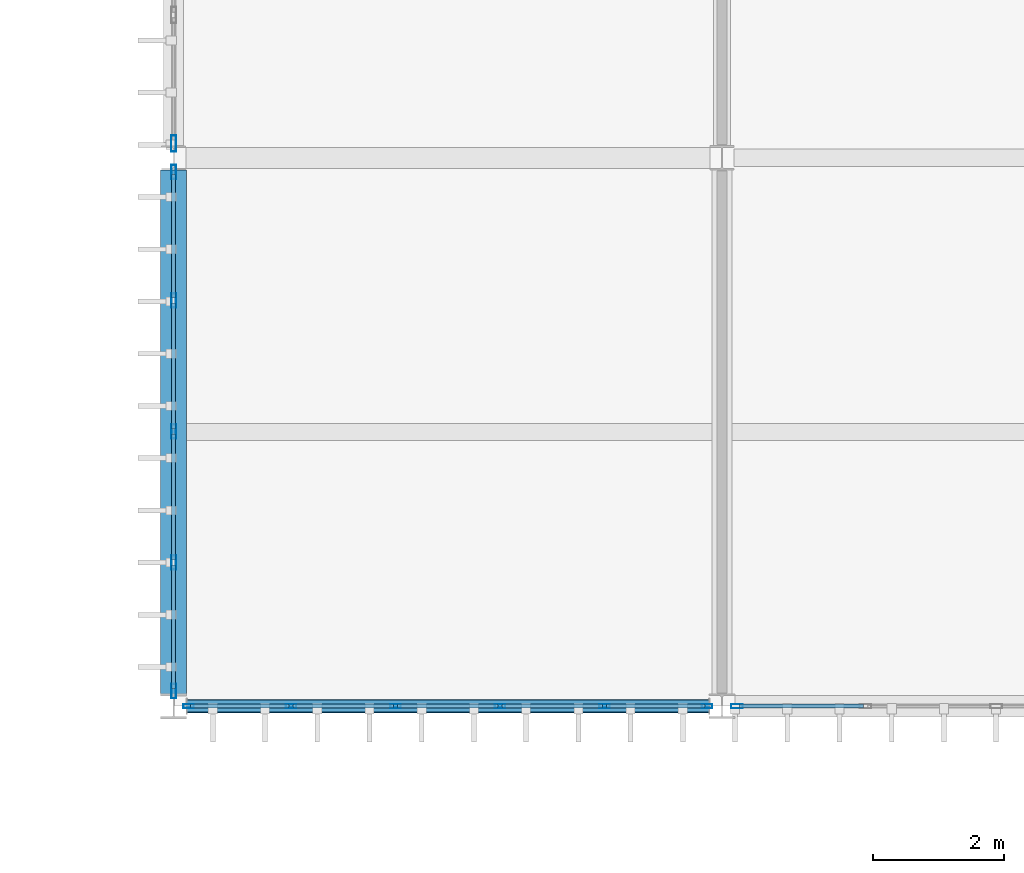
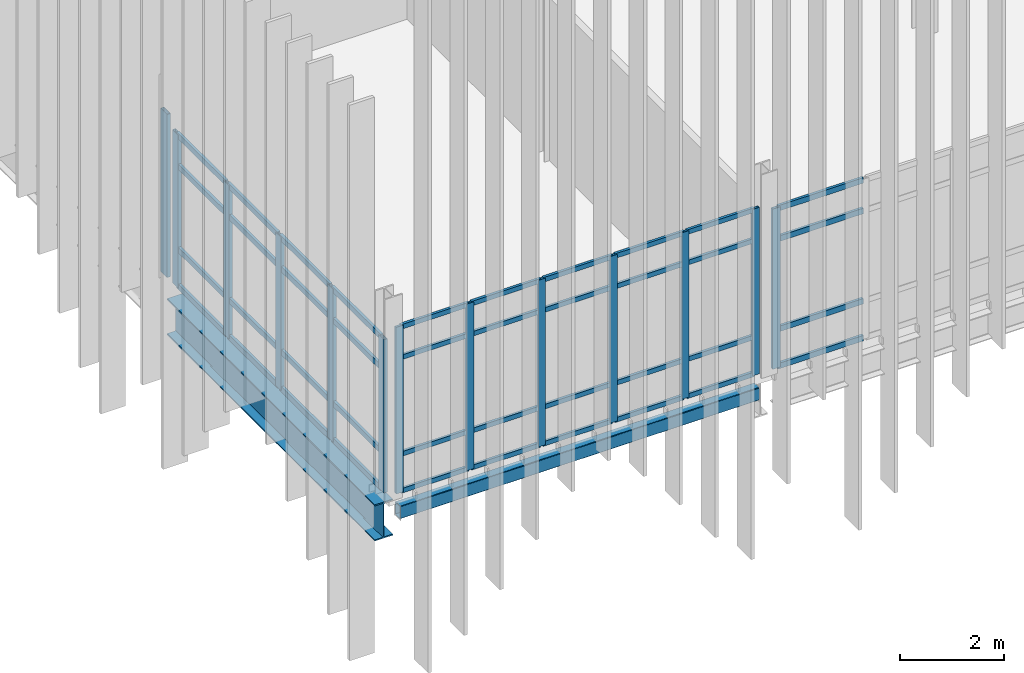
# One storey, part 16 of 153: 53 members, 2 beams, 4 elements without a shape of their own.
"""IFC4 building model written with IfcOpenShell, lengths in metres."""

import ifcopenshell
import ifcopenshell.guid

model = None  # the IFC model being written
_history = None  # IfcOwnerHistory: only IFC2X3 demands one
_inside = {}  # id of a spatial element -> (the spatial element, [elements in it])
_under = {}  # id of a project, library or spatial element -> (it, [spatial elements below it])
_declared = {}  # id of a project -> (the project, [libraries it declares])
_typed = {}  # id of a type object -> (the type object, [elements of that type])
_made_of = {}  # id of a material, layer set ... -> (it, [elements and type objects made of it])


def new_model(schema):
    """Start an empty IFC model of exactly this schema.

    Asked for "IFC4X3", IfcOpenShell would pick the latest addendum, in which some entities
    have other attributes; the version numbers below select the first issue.
    IFC2X3 requires an IfcOwnerHistory on every rooted entity: one is made here for all.
    """
    global model, _history
    if schema == "IFC4X3":
        model = ifcopenshell.file(schema_version=(4, 3, 0, 0))
    else:
        model = ifcopenshell.file(schema=schema)
    _inside.clear()
    _under.clear()
    _declared.clear()
    _typed.clear()
    _made_of.clear()
    _history = None
    if model.schema == "IFC2X3":
        org = make("IfcOrganization", Name="unknown")
        user = make(
            "IfcPersonAndOrganization",
            ThePerson=make("IfcPerson", FamilyName="unknown"),
            TheOrganization=org,
        )
        app = make(
            "IfcApplication",
            ApplicationDeveloper=org,
            Version="unknown",
            ApplicationFullName="unknown",
            ApplicationIdentifier="unknown",
        )
        _history = make(
            "IfcOwnerHistory",
            OwningUser=user,
            OwningApplication=app,
            ChangeAction="ADDED",
            CreationDate=0,
        )
    return model


def make(cls, **values):
    """One entity of the class cls with the attributes given. An attribute that is None is left unset."""
    return model.create_entity(
        cls, **{name: value for name, value in values.items() if value is not None}
    )


def rooted(cls, **values):
    """An entity with a GlobalId (a new one), such as an element, a storey or a relation."""
    return make(cls, GlobalId=ifcopenshell.guid.new(), OwnerHistory=_history, **values)


def si_unit(unit_type, name, prefix=None):
    """IfcSIUnit, for example si_unit("LENGTHUNIT", "METRE", prefix="MILLI")."""
    return make("IfcSIUnit", UnitType=unit_type, Prefix=prefix, Name=name)


def assignment(units):
    """IfcUnitAssignment: the units of a project."""
    return None if units is None else make("IfcUnitAssignment", Units=units)


def point(xyz):
    """IfcCartesianPoint."""
    return None if xyz is None else make("IfcCartesianPoint", Coordinates=xyz)


def direction(xyz):
    """IfcDirection."""
    return None if xyz is None else make("IfcDirection", DirectionRatios=xyz)


def frame(location, z_axis=None, x_axis=None):
    """IfcAxis2Placement3D, a coordinate frame: its origin and axes. An axis left out is left unset."""
    return make(
        "IfcAxis2Placement3D",
        Location=point(location),
        Axis=direction(z_axis),
        RefDirection=direction(x_axis),
    )


def frame_2d(location, x_axis=None):
    """IfcAxis2Placement2D, a coordinate frame in the plane: its origin and x axis."""
    return make(
        "IfcAxis2Placement2D", Location=point(location), RefDirection=direction(x_axis)
    )


def origin():
    """The frame at (0, 0, 0) with its axes left unset."""
    return frame((0.0, 0.0, 0.0))


def origin_2d():
    """The frame at (0, 0) in the plane with its x axis left unset."""
    return frame_2d((0.0, 0.0))


def place(relative_to, where):
    """IfcLocalPlacement: puts the frame where relative to a parent placement (None: the world)."""
    return make(
        "IfcLocalPlacement", PlacementRelTo=relative_to, RelativePlacement=where
    )


def context(
    kind, dimensions, precision=None, world=None, true_north=None, identifier=None
):
    """IfcGeometricRepresentationContext, for example the 3D "Model" context."""
    return make(
        "IfcGeometricRepresentationContext",
        ContextIdentifier=identifier,
        ContextType=kind,
        CoordinateSpaceDimension=dimensions,
        Precision=precision,
        WorldCoordinateSystem=world,
        TrueNorth=true_north,
    )


def subcontext(parent, identifier, kind, view, scale=None):
    """IfcGeometricRepresentationSubContext, for example "Body" below "Model"."""
    return make(
        "IfcGeometricRepresentationSubContext",
        ContextIdentifier=identifier,
        ContextType=kind,
        ParentContext=parent,
        TargetScale=scale,
        TargetView=view,
    )


def project(units=None, contexts=None):
    """IfcProject with its units and contexts."""
    return rooted(
        "IfcProject",
        Name="project",
        RepresentationContexts=contexts,
        UnitsInContext=assignment(units),
    )


def spatial(cls, under=None, at=None, **own):
    """A site, building, storey or space (cls), placed at a placement, below another one or the project."""
    s = rooted(cls, ObjectPlacement=at, **own)
    if under is not None:
        _under.setdefault(under.id(), (under, []))[1].append(s)
    return s


def profile(cls, at=None, kind="AREA", **sizes):
    """A parametric profile (cls). Its sizes go by their IFC names, for example OverallWidth=200.0."""
    return make(cls, ProfileType=kind, Position=at, **sizes)


def hollow_rectangle(**sizes):
    """IfcRectangleHollowProfileDef."""
    return profile("IfcRectangleHollowProfileDef", **sizes)


def i_section(**sizes):
    """IfcIShapeProfileDef."""
    return profile("IfcIShapeProfileDef", **sizes)


def extrude(swept, where, along, depth):
    """IfcExtrudedAreaSolid: the profile swept, set in the frame where, extruded along a direction by depth."""
    return make(
        "IfcExtrudedAreaSolid",
        SweptArea=swept,
        Position=where,
        ExtrudedDirection=direction(along),
        Depth=depth,
    )


def shape(context_of_items, identifier, shape_type, items):
    """IfcShapeRepresentation: the items that make up one representation, for example the "Body"."""
    return make(
        "IfcShapeRepresentation",
        ContextOfItems=context_of_items,
        RepresentationIdentifier=identifier,
        RepresentationType=shape_type,
        Items=items,
    )


def material(Name=None, Category=None):
    """IfcMaterial."""
    return make("IfcMaterial", Name=Name, Category=Category)


def layer(
    of_material, thickness, ventilated=None, Name=None, Category=None, Priority=None
):
    """IfcMaterialLayer: one layer of a wall or slab, of a material (None: an air gap)."""
    return make(
        "IfcMaterialLayer",
        Material=of_material,
        LayerThickness=thickness,
        IsVentilated=ventilated,
        Name=Name,
        Category=Category,
        Priority=Priority,
    )


def layer_set(layers, Name=None):
    """IfcMaterialLayerSet."""
    return make("IfcMaterialLayerSet", MaterialLayers=layers, LayerSetName=Name)


def material_profile(
    of_material, cross_section, Name=None, Category=None, Priority=None
):
    """IfcMaterialProfile: a cross section and its material."""
    return make(
        "IfcMaterialProfile",
        Name=Name,
        Material=of_material,
        Profile=cross_section,
        Priority=Priority,
        Category=Category,
    )


def profile_set(profiles, Name=None, composite=None):
    """IfcMaterialProfileSet."""
    return make(
        "IfcMaterialProfileSet",
        Name=Name,
        MaterialProfiles=profiles,
        CompositeProfile=composite,
    )


def made_of(thing, what):
    """Note that an element or type object is made of a material, layer set ...; save() writes the relation."""
    if what is not None:
        _made_of.setdefault(what.id(), (what, []))[1].append(thing)
    return thing


def type_object(cls, material=None, **own):
    """A type object (cls), such as IfcWallType, which elements share."""
    return made_of(rooted(cls, **own), material)


def element(
    cls,
    number,
    at=None,
    inside=None,
    cuts=None,
    type_object=None,
    material=None,
    context=None,
    identifier="Body",
    shape_type=None,
    held_by="IfcProductDefinitionShape",
    body=None,
    shapes=None,
    **own,
):
    """One element of the class cls, such as IfcWall. Its Tag is "e" and its number.

    at: its placement. inside: the storey or other place that contains it. cuts: it is an
    opening in that element (IfcRelVoidsElement). A single representation is given by context,
    identifier, shape_type and body (its items); several are given by shapes. held_by: the class
    of the entity that holds the representations. save() writes the other relations.
    """
    e = rooted(cls, Tag="e%d" % number, ObjectPlacement=at, **own)
    if body is not None:
        shapes = [shape(context, identifier, shape_type, body)]
    if shapes is not None:
        e.Representation = make(held_by, Representations=shapes)
    if inside is not None:
        _inside.setdefault(inside.id(), (inside, []))[1].append(e)
    if cuts is not None:
        rooted(
            "IfcRelVoidsElement", RelatingBuildingElement=cuts, RelatedOpeningElement=e
        )
    if type_object is not None:
        _typed.setdefault(type_object.id(), (type_object, []))[1].append(e)
    return made_of(e, material)


def aggregate(whole, parts):
    """IfcRelAggregates: a whole, such as a stair, and the parts it consists of."""
    return rooted("IfcRelAggregates", RelatingObject=whole, RelatedObjects=parts)


def save(model, path):
    """Write the relations noted so far, then the file.

    IfcRelAggregates (storeys below a building ...), IfcRelContainedInSpatialStructure (elements
    in a storey), IfcRelDefinesByType, IfcRelAssociatesMaterial and IfcRelDeclares: one each for
    every whole, place, type object, material and project.
    """
    for whole, parts in _under.values():
        aggregate(whole, parts)
    for where, things in _inside.values():
        rooted(
            "IfcRelContainedInSpatialStructure",
            RelatedElements=things,
            RelatingStructure=where,
        )
    for kind, things in _typed.values():
        rooted("IfcRelDefinesByType", RelatedObjects=things, RelatingType=kind)
    for what, things in _made_of.values():
        rooted("IfcRelAssociatesMaterial", RelatedObjects=things, RelatingMaterial=what)
    for by, libraries in _declared.values():
        rooted("IfcRelDeclares", RelatingContext=by, RelatedDefinitions=libraries)
    model.write(path)


model = new_model("IFC4")

# Units and contexts
model_context = context("Model", 3, precision=1e-05, world=origin(), true_north=direction((0.0, 1.0)))
body_context = subcontext(model_context, "Body", "Model", "MODEL_VIEW")
ifc_project = project(units=[si_unit("LENGTHUNIT", "METRE"), si_unit("AREAUNIT", "SQUARE_METRE"), si_unit("VOLUMEUNIT", "CUBIC_METRE"), si_unit("PLANEANGLEUNIT", "RADIAN"), si_unit("MASSUNIT", "GRAM", prefix="KILO")], contexts=[model_context])

# Site, building, storey
site_placement = place(None, origin())
site = spatial("IfcSite", under=ifc_project, at=site_placement, CompositionType="ELEMENT")
building_placement = place(site_placement, origin())
building = spatial("IfcBuilding", under=site, at=building_placement, Name="Calvrana Isthmian Art Gallery", CompositionType="ELEMENT")
storey_placement = place(building_placement, frame((0.0, 0.0, 10.199951171875)))
storey = spatial("IfcBuildingStorey", under=building, at=storey_placement, Name="L02", CompositionType="ELEMENT", Elevation=10.199951171875)

# Beams
ifc_material_1 = material(Name="Steel ASTM A992 Gr 50", Category="steel")
ifc_material_profile_1 = material_profile(ifc_material_1, i_section(OverallWidth=0.40087890625, OverallDepth=0.85595703125, WebThickness=0.018310546875, FlangeThickness=0.029296875, FilletRadius=0.02587890625, at=origin_2d()), Name="W33X201")
ifc_profile_set_1 = profile_set([ifc_material_profile_1], Name="Steel ASTM A992 Gr 50")
beam_type_1 = type_object("IfcBeamType", Name="BM-G-W33X201", PredefinedType="BEAM", material=ifc_profile_set_1)
beam_1_placement = place(storey_placement, frame((21.60009765625, 21.79052734375, -0.69287109375), z_axis=(0.0, 1.0, 0.0), x_axis=(-1.0, 0.0, 0.0)))
element("IfcBeam", 1, at=beam_1_placement, inside=storey, type_object=beam_type_1, Name="Girder Y L02 04/D-E", PredefinedType="BEAM", context=body_context, shape_type="SweptSolid", body=[
    extrude(i_section(OverallWidth=0.40087890625, OverallDepth=0.85595703125, WebThickness=0.018310546875, FlangeThickness=0.029296875, FilletRadius=0.02587890625, at=origin_2d()), origin(), (0.0, 0.0, 1.0), 8.02294921875),
])
ifc_material_2 = material(Name="Steel ASTM A500 Gr C", Category="steel")
ifc_material_profile_2 = material_profile(ifc_material_2, hollow_rectangle(XDim=0.203125, YDim=0.3046875, WallThickness=0.0126953125, OuterFilletRadius=0.02490234375, at=origin_2d()), Name="HSS305X203X12.7")
ifc_profile_set_2 = profile_set([ifc_material_profile_2], Name="Steel ASTM A500 Gr C")
beam_type_2 = type_object("IfcBeamType", Name="BM-SP-HSS305", PredefinedType="SPANDREL", material=ifc_profile_set_2)
beam_2_placement = place(storey_placement, frame((21.798095703125, 21.60009765625, -0.417236328125), z_axis=(1.0, 0.0, 0.0), x_axis=(0.0, 1.0, 0.0)))
element("IfcBeam", 2, at=beam_2_placement, inside=storey, type_object=beam_type_2, Name="Girder X L02 04-05/D", PredefinedType="SPANDREL", context=body_context, shape_type="SweptSolid", body=[
    extrude(hollow_rectangle(XDim=0.203125, YDim=0.3046875, WallThickness=0.0126953125, OuterFilletRadius=0.02490234375, at=origin_2d()), origin(), (0.0, 0.0, 1.0), 8.0048828125),
])

# Curtain wall, members
ifc_material_3 = material(Name="Anodized bronze aluminium 6063-T6", Category="aluminium")
ifc_layer_1 = layer(ifc_material_3, 0.179931640625, Name="Anodized bronze aluminium 6063-T6")
ifc_layer_set_1 = layer_set([ifc_layer_1], Name="Anodized bronze aluminium 6063-T6")
curtain_wall_type_1 = type_object("IfcCurtainWallType", Name="CW-STICK-080X39", PredefinedType="NOTDEFINED", material=ifc_layer_set_1)
curtain_wall_1_placement = place(storey_placement, origin())
curtain_wall_1 = element("IfcCurtainWall", 3, at=curtain_wall_1_placement, inside=storey, type_object=curtain_wall_type_1, Name="Curtain wall CW-145", PredefinedType="NOTDEFINED")
ifc_material_profile_3 = material_profile(ifc_material_3, hollow_rectangle(XDim=0.06005859375, YDim=0.159912109375, WallThickness=0.00390625, at=origin_2d()), Name="CWM60X160")
ifc_profile_set_3 = profile_set([ifc_material_profile_3], Name="Anodized bronze aluminium 6063-T6")
member_type_1 = type_object("IfcMemberType", Name="CWM-CWM60X160", PredefinedType="MULLION", material=ifc_profile_set_3)
member_1_placement = place(storey_placement, frame((29.77197265625, 21.60009765625, 0.0), z_axis=(0.0, 0.0, 1.0), x_axis=(0.0, -1.0, 0.0)))
member_1 = element("IfcMember", 4, at=member_1_placement, type_object=member_type_1, Name="CW-145 mullion 1", PredefinedType="MULLION", context=body_context, shape_type="SweptSolid", body=[
    extrude(hollow_rectangle(XDim=0.06005859375, YDim=0.159912109375, WallThickness=0.00390625, at=origin_2d()), origin(), (0.0, 0.0, 1.0), 3.927978515625),
])
member_2_placement = place(storey_placement, frame((28.201416015625, 21.60009765625, 0.0), z_axis=(0.0, 0.0, 1.0), x_axis=(0.0, -1.0, 0.0)))
member_2 = element("IfcMember", 5, at=member_2_placement, type_object=member_type_1, Name="CW-145 mullion 2", PredefinedType="MULLION", context=body_context, shape_type="SweptSolid", body=[
    extrude(hollow_rectangle(XDim=0.06005859375, YDim=0.159912109375, WallThickness=0.00390625, at=origin_2d()), origin(), (0.0, 0.0, 1.0), 3.927978515625),
])
member_3_placement = place(storey_placement, frame((26.60107421875, 21.60009765625, 0.0), z_axis=(0.0, 0.0, 1.0), x_axis=(0.0, -1.0, 0.0)))
member_3 = element("IfcMember", 6, at=member_3_placement, type_object=member_type_1, Name="CW-145 mullion 3", PredefinedType="MULLION", context=body_context, shape_type="SweptSolid", body=[
    extrude(hollow_rectangle(XDim=0.06005859375, YDim=0.159912109375, WallThickness=0.00390625, at=origin_2d()), origin(), (0.0, 0.0, 1.0), 3.927978515625),
])
member_4_placement = place(storey_placement, frame((25.00048828125, 21.60009765625, 0.0), z_axis=(0.0, 0.0, 1.0), x_axis=(0.0, -1.0, 0.0)))
member_4 = element("IfcMember", 7, at=member_4_placement, type_object=member_type_1, Name="CW-145 mullion 4", PredefinedType="MULLION", context=body_context, shape_type="SweptSolid", body=[
    extrude(hollow_rectangle(XDim=0.06005859375, YDim=0.159912109375, WallThickness=0.00390625, at=origin_2d()), origin(), (0.0, 0.0, 1.0), 3.927978515625),
])
member_5_placement = place(storey_placement, frame((23.39990234375, 21.60009765625, 0.0), z_axis=(0.0, 0.0, 1.0), x_axis=(0.0, -1.0, 0.0)))
member_5 = element("IfcMember", 8, at=member_5_placement, type_object=member_type_1, Name="CW-145 mullion 5", PredefinedType="MULLION", context=body_context, shape_type="SweptSolid", body=[
    extrude(hollow_rectangle(XDim=0.06005859375, YDim=0.159912109375, WallThickness=0.00390625, at=origin_2d()), origin(), (0.0, 0.0, 1.0), 3.927978515625),
])
member_6_placement = place(storey_placement, frame((21.82958984375, 21.60009765625, 0.0), z_axis=(0.0, 0.0, 1.0), x_axis=(0.0, -1.0, 0.0)))
member_6 = element("IfcMember", 9, at=member_6_placement, type_object=member_type_1, Name="CW-145 mullion 6", PredefinedType="MULLION", context=body_context, shape_type="SweptSolid", body=[
    extrude(hollow_rectangle(XDim=0.06005859375, YDim=0.159912109375, WallThickness=0.00390625, at=origin_2d()), origin(), (0.0, 0.0, 1.0), 3.927978515625),
])

# Curtain wall, member
ifc_layer_2 = layer(ifc_material_3, 0.179931640625, Name="Anodized bronze aluminium 6063-T6")
ifc_layer_set_2 = layer_set([ifc_layer_2], Name="Anodized bronze aluminium 6063-T6")
curtain_wall_type_2 = type_object("IfcCurtainWallType", Name="CW-UNIT-080X38", PredefinedType="USERDEFINED", material=ifc_layer_set_2)
curtain_wall_2_placement = place(storey_placement, origin())
curtain_wall_2 = element("IfcCurtainWall", 10, at=curtain_wall_2_placement, inside=storey, type_object=curtain_wall_type_2, Name="Curtain wall CW-146", ObjectType="UNITISED CURTAIN WALL", PredefinedType="USERDEFINED")
ifc_material_profile_4 = material_profile(ifc_material_3, hollow_rectangle(XDim=0.06494140625, YDim=0.179931640625, WallThickness=0.00439453125, at=origin_2d()), Name="CWM65X180")
ifc_profile_set_4 = profile_set([ifc_material_profile_4], Name="Anodized bronze aluminium 6063-T6")
member_type_2 = type_object("IfcMemberType", Name="CWM-CWM65X180", PredefinedType="MULLION", material=ifc_profile_set_4)
member_7_placement = place(storey_placement, frame((30.23046875, 21.60009765625, 0.0), z_axis=(0.0, 0.0, 1.0), x_axis=(0.0, -1.0, 0.0)))
member_7 = element("IfcMember", 11, at=member_7_placement, type_object=member_type_2, Name="CW-146 mullion 5", PredefinedType="MULLION", context=body_context, shape_type="SweptSolid", body=[
    extrude(hollow_rectangle(XDim=0.06494140625, YDim=0.179931640625, WallThickness=0.00439453125, at=origin_2d()), origin(), (0.0, 0.0, 1.0), 3.778076171875),
])

# Curtain wall, members
ifc_layer_3 = layer(ifc_material_3, 0.179931640625, Name="Anodized bronze aluminium 6063-T6")
ifc_layer_set_3 = layer_set([ifc_layer_3], Name="Anodized bronze aluminium 6063-T6")
curtain_wall_type_3 = type_object("IfcCurtainWallType", Name="CW-UNIT-080X36", PredefinedType="USERDEFINED", material=ifc_layer_set_3)
curtain_wall_3_placement = place(storey_placement, origin())
curtain_wall_3 = element("IfcCurtainWall", 12, at=curtain_wall_3_placement, inside=storey, type_object=curtain_wall_type_3, Name="Curtain wall CW-166", ObjectType="UNITISED CURTAIN WALL", PredefinedType="USERDEFINED")
ifc_material_profile_5 = material_profile(ifc_material_3, hollow_rectangle(XDim=0.074951171875, YDim=0.219970703125, WallThickness=0.0048828125, at=origin_2d()), Name="CWM75X220")
ifc_profile_set_5 = profile_set([ifc_material_profile_5], Name="Anodized bronze aluminium 6063-T6")
member_type_3 = type_object("IfcMemberType", Name="CWM-CWM75X220", PredefinedType="MULLION", material=ifc_profile_set_5)
member_8_placement = place(storey_placement, frame((21.60009765625, 21.83056640625, 0.0), z_axis=(0.0, 0.0, 1.0), x_axis=(-1.0, 0.0, 0.0)))
member_8 = element("IfcMember", 13, at=member_8_placement, type_object=member_type_3, Name="CW-166 mullion 1", PredefinedType="MULLION", context=body_context, shape_type="SweptSolid", body=[
    extrude(hollow_rectangle(XDim=0.074951171875, YDim=0.219970703125, WallThickness=0.0048828125, at=origin_2d()), origin(), (0.0, 0.0, 1.0), 3.613037109375),
])
member_9_placement = place(storey_placement, frame((21.60009765625, 23.80029296875, 0.0), z_axis=(0.0, 0.0, 1.0), x_axis=(-1.0, 0.0, 0.0)))
member_9 = element("IfcMember", 14, at=member_9_placement, type_object=member_type_3, Name="CW-166 mullion 2", PredefinedType="MULLION", context=body_context, shape_type="SweptSolid", body=[
    extrude(hollow_rectangle(XDim=0.074951171875, YDim=0.219970703125, WallThickness=0.0048828125, at=origin_2d()), origin(), (0.0, 0.0, 1.0), 3.613037109375),
])
member_10_placement = place(storey_placement, frame((21.60009765625, 25.8076171875, 0.0), z_axis=(0.0, 0.0, 1.0), x_axis=(-1.0, 0.0, 0.0)))
member_10 = element("IfcMember", 15, at=member_10_placement, type_object=member_type_3, Name="CW-166 mullion 3", PredefinedType="MULLION", context=body_context, shape_type="SweptSolid", body=[
    extrude(hollow_rectangle(XDim=0.074951171875, YDim=0.219970703125, WallThickness=0.0048828125, at=origin_2d()), origin(), (0.0, 0.0, 1.0), 3.613037109375),
])
member_11_placement = place(storey_placement, frame((21.60009765625, 27.814697265625, 0.0), z_axis=(0.0, 0.0, 1.0), x_axis=(-1.0, 0.0, 0.0)))
member_11 = element("IfcMember", 16, at=member_11_placement, type_object=member_type_3, Name="CW-166 mullion 4", PredefinedType="MULLION", context=body_context, shape_type="SweptSolid", body=[
    extrude(hollow_rectangle(XDim=0.074951171875, YDim=0.219970703125, WallThickness=0.0048828125, at=origin_2d()), origin(), (0.0, 0.0, 1.0), 3.613037109375),
])
member_12_placement = place(storey_placement, frame((21.60009765625, 29.784423828125, 0.0), z_axis=(0.0, 0.0, 1.0), x_axis=(-1.0, 0.0, 0.0)))
member_12 = element("IfcMember", 17, at=member_12_placement, type_object=member_type_3, Name="CW-166 mullion 5", PredefinedType="MULLION", context=body_context, shape_type="SweptSolid", body=[
    extrude(hollow_rectangle(XDim=0.074951171875, YDim=0.219970703125, WallThickness=0.0048828125, at=origin_2d()), origin(), (0.0, 0.0, 1.0), 3.613037109375),
])

# Curtain wall, member
curtain_wall_4_placement = place(storey_placement, origin())
curtain_wall_4 = element("IfcCurtainWall", 18, at=curtain_wall_4_placement, inside=storey, type_object=curtain_wall_type_2, Name="Curtain wall CW-167", ObjectType="UNITISED CURTAIN WALL", PredefinedType="USERDEFINED")
ifc_material_profile_6 = material_profile(ifc_material_3, hollow_rectangle(XDim=0.080078125, YDim=0.25, WallThickness=0.005615234375, at=origin_2d()), Name="CWM80X250")
ifc_profile_set_6 = profile_set([ifc_material_profile_6], Name="Anodized bronze aluminium 6063-T6")
member_type_4 = type_object("IfcMemberType", Name="CWM-CWM80X250", PredefinedType="MULLION", material=ifc_profile_set_6)
member_13_placement = place(storey_placement, frame((21.60009765625, 30.218017578125, 0.0), z_axis=(0.0, 0.0, 1.0), x_axis=(-1.0, 0.0, 0.0)))
member_13 = element("IfcMember", 19, at=member_13_placement, type_object=member_type_4, Name="CW-167 mullion 1", PredefinedType="MULLION", context=body_context, shape_type="SweptSolid", body=[
    extrude(hollow_rectangle(XDim=0.080078125, YDim=0.25, WallThickness=0.005615234375, at=origin_2d()), origin(), (0.0, 0.0, 1.0), 3.84716796875),
])
aggregate(curtain_wall_4, [member_13])

# Member
ifc_material_profile_7 = material_profile(ifc_material_3, hollow_rectangle(XDim=0.06005859375, YDim=0.110107421875, WallThickness=0.00341796875, at=origin_2d()), Name="CWT60X110")
ifc_profile_set_7 = profile_set([ifc_material_profile_7], Name="Anodized bronze aluminium 6063-T6")
member_type_5 = type_object("IfcMemberType", Name="CWT-CWT60X110", PredefinedType="USERDEFINED", material=ifc_profile_set_7)
member_14_placement = place(storey_placement, frame((29.741943359375, 21.60009765625, 0.030029296875), z_axis=(-1.0, 0.0, 0.0), x_axis=(0.0, -1.0, 0.0)))
member_14 = element("IfcMember", 20, at=member_14_placement, type_object=member_type_5, Name="CW-145 transom 1.1", ObjectType="TRANSOM", PredefinedType="USERDEFINED", context=body_context, shape_type="SweptSolid", body=[
    extrude(hollow_rectangle(XDim=0.06005859375, YDim=0.110107421875, WallThickness=0.00341796875, at=origin_2d()), origin(), (0.0, 0.0, 1.0), 1.510498046875),
])

member_15_placement = place(storey_placement, frame((29.741943359375, 21.60009765625, 0.900146484375), z_axis=(-1.0, 0.0, 0.0), x_axis=(0.0, -1.0, 0.0)))
member_15 = element("IfcMember", 21, at=member_15_placement, type_object=member_type_5, Name="CW-145 transom 1.2", ObjectType="TRANSOM", PredefinedType="USERDEFINED", context=body_context, shape_type="SweptSolid", body=[
    extrude(hollow_rectangle(XDim=0.06005859375, YDim=0.110107421875, WallThickness=0.00341796875, at=origin_2d()), origin(), (0.0, 0.0, 1.0), 1.510498046875),
])

member_16_placement = place(storey_placement, frame((29.741943359375, 21.60009765625, 3.177978515625), z_axis=(-1.0, 0.0, 0.0), x_axis=(0.0, -1.0, 0.0)))
member_16 = element("IfcMember", 22, at=member_16_placement, type_object=member_type_5, Name="CW-145 transom 1.3", ObjectType="TRANSOM", PredefinedType="USERDEFINED", context=body_context, shape_type="SweptSolid", body=[
    extrude(hollow_rectangle(XDim=0.06005859375, YDim=0.110107421875, WallThickness=0.00341796875, at=origin_2d()), origin(), (0.0, 0.0, 1.0), 1.510498046875),
])

member_17_placement = place(storey_placement, frame((29.741943359375, 21.60009765625, 3.89794921875), z_axis=(-1.0, 0.0, 0.0), x_axis=(0.0, -1.0, 0.0)))
member_17 = element("IfcMember", 23, at=member_17_placement, type_object=member_type_5, Name="CW-145 transom 1.4", ObjectType="TRANSOM", PredefinedType="USERDEFINED", context=body_context, shape_type="SweptSolid", body=[
    extrude(hollow_rectangle(XDim=0.06005859375, YDim=0.110107421875, WallThickness=0.00341796875, at=origin_2d()), origin(), (0.0, 0.0, 1.0), 1.510498046875),
])

member_18_placement = place(storey_placement, frame((28.17138671875, 21.60009765625, 0.030029296875), z_axis=(-1.0, 0.0, 0.0), x_axis=(0.0, -1.0, 0.0)))
member_18 = element("IfcMember", 24, at=member_18_placement, type_object=member_type_5, Name="CW-145 transom 2.1", ObjectType="TRANSOM", PredefinedType="USERDEFINED", context=body_context, shape_type="SweptSolid", body=[
    extrude(hollow_rectangle(XDim=0.06005859375, YDim=0.110107421875, WallThickness=0.00341796875, at=origin_2d()), origin(), (0.0, 0.0, 1.0), 1.540283203125),
])

member_19_placement = place(storey_placement, frame((28.17138671875, 21.60009765625, 0.900146484375), z_axis=(-1.0, 0.0, 0.0), x_axis=(0.0, -1.0, 0.0)))
member_19 = element("IfcMember", 25, at=member_19_placement, type_object=member_type_5, Name="CW-145 transom 2.2", ObjectType="TRANSOM", PredefinedType="USERDEFINED", context=body_context, shape_type="SweptSolid", body=[
    extrude(hollow_rectangle(XDim=0.06005859375, YDim=0.110107421875, WallThickness=0.00341796875, at=origin_2d()), origin(), (0.0, 0.0, 1.0), 1.540283203125),
])

member_20_placement = place(storey_placement, frame((28.17138671875, 21.60009765625, 3.177978515625), z_axis=(-1.0, 0.0, 0.0), x_axis=(0.0, -1.0, 0.0)))
member_20 = element("IfcMember", 26, at=member_20_placement, type_object=member_type_5, Name="CW-145 transom 2.3", ObjectType="TRANSOM", PredefinedType="USERDEFINED", context=body_context, shape_type="SweptSolid", body=[
    extrude(hollow_rectangle(XDim=0.06005859375, YDim=0.110107421875, WallThickness=0.00341796875, at=origin_2d()), origin(), (0.0, 0.0, 1.0), 1.540283203125),
])

member_21_placement = place(storey_placement, frame((28.17138671875, 21.60009765625, 3.89794921875), z_axis=(-1.0, 0.0, 0.0), x_axis=(0.0, -1.0, 0.0)))
member_21 = element("IfcMember", 27, at=member_21_placement, type_object=member_type_5, Name="CW-145 transom 2.4", ObjectType="TRANSOM", PredefinedType="USERDEFINED", context=body_context, shape_type="SweptSolid", body=[
    extrude(hollow_rectangle(XDim=0.06005859375, YDim=0.110107421875, WallThickness=0.00341796875, at=origin_2d()), origin(), (0.0, 0.0, 1.0), 1.540283203125),
])

member_22_placement = place(storey_placement, frame((26.571044921875, 21.60009765625, 0.030029296875), z_axis=(-1.0, 0.0, 0.0), x_axis=(0.0, -1.0, 0.0)))
member_22 = element("IfcMember", 28, at=member_22_placement, type_object=member_type_5, Name="CW-145 transom 3.1", ObjectType="TRANSOM", PredefinedType="USERDEFINED", context=body_context, shape_type="SweptSolid", body=[
    extrude(hollow_rectangle(XDim=0.06005859375, YDim=0.110107421875, WallThickness=0.00341796875, at=origin_2d()), origin(), (0.0, 0.0, 1.0), 1.54052734375),
])

member_23_placement = place(storey_placement, frame((26.571044921875, 21.60009765625, 0.900146484375), z_axis=(-1.0, 0.0, 0.0), x_axis=(0.0, -1.0, 0.0)))
member_23 = element("IfcMember", 29, at=member_23_placement, type_object=member_type_5, Name="CW-145 transom 3.2", ObjectType="TRANSOM", PredefinedType="USERDEFINED", context=body_context, shape_type="SweptSolid", body=[
    extrude(hollow_rectangle(XDim=0.06005859375, YDim=0.110107421875, WallThickness=0.00341796875, at=origin_2d()), origin(), (0.0, 0.0, 1.0), 1.54052734375),
])

member_24_placement = place(storey_placement, frame((26.571044921875, 21.60009765625, 3.177978515625), z_axis=(-1.0, 0.0, 0.0), x_axis=(0.0, -1.0, 0.0)))
member_24 = element("IfcMember", 30, at=member_24_placement, type_object=member_type_5, Name="CW-145 transom 3.3", ObjectType="TRANSOM", PredefinedType="USERDEFINED", context=body_context, shape_type="SweptSolid", body=[
    extrude(hollow_rectangle(XDim=0.06005859375, YDim=0.110107421875, WallThickness=0.00341796875, at=origin_2d()), origin(), (0.0, 0.0, 1.0), 1.54052734375),
])

member_25_placement = place(storey_placement, frame((26.571044921875, 21.60009765625, 3.89794921875), z_axis=(-1.0, 0.0, 0.0), x_axis=(0.0, -1.0, 0.0)))
member_25 = element("IfcMember", 31, at=member_25_placement, type_object=member_type_5, Name="CW-145 transom 3.4", ObjectType="TRANSOM", PredefinedType="USERDEFINED", context=body_context, shape_type="SweptSolid", body=[
    extrude(hollow_rectangle(XDim=0.06005859375, YDim=0.110107421875, WallThickness=0.00341796875, at=origin_2d()), origin(), (0.0, 0.0, 1.0), 1.54052734375),
])

member_26_placement = place(storey_placement, frame((24.970458984375, 21.60009765625, 0.030029296875), z_axis=(-1.0, 0.0, 0.0), x_axis=(0.0, -1.0, 0.0)))
member_26 = element("IfcMember", 32, at=member_26_placement, type_object=member_type_5, Name="CW-145 transom 4.1", ObjectType="TRANSOM", PredefinedType="USERDEFINED", context=body_context, shape_type="SweptSolid", body=[
    extrude(hollow_rectangle(XDim=0.06005859375, YDim=0.110107421875, WallThickness=0.00341796875, at=origin_2d()), origin(), (0.0, 0.0, 1.0), 1.54052734375),
])

member_27_placement = place(storey_placement, frame((24.970458984375, 21.60009765625, 0.900146484375), z_axis=(-1.0, 0.0, 0.0), x_axis=(0.0, -1.0, 0.0)))
member_27 = element("IfcMember", 33, at=member_27_placement, type_object=member_type_5, Name="CW-145 transom 4.2", ObjectType="TRANSOM", PredefinedType="USERDEFINED", context=body_context, shape_type="SweptSolid", body=[
    extrude(hollow_rectangle(XDim=0.06005859375, YDim=0.110107421875, WallThickness=0.00341796875, at=origin_2d()), origin(), (0.0, 0.0, 1.0), 1.54052734375),
])

member_28_placement = place(storey_placement, frame((24.970458984375, 21.60009765625, 3.177978515625), z_axis=(-1.0, 0.0, 0.0), x_axis=(0.0, -1.0, 0.0)))
member_28 = element("IfcMember", 34, at=member_28_placement, type_object=member_type_5, Name="CW-145 transom 4.3", ObjectType="TRANSOM", PredefinedType="USERDEFINED", context=body_context, shape_type="SweptSolid", body=[
    extrude(hollow_rectangle(XDim=0.06005859375, YDim=0.110107421875, WallThickness=0.00341796875, at=origin_2d()), origin(), (0.0, 0.0, 1.0), 1.54052734375),
])

member_29_placement = place(storey_placement, frame((24.970458984375, 21.60009765625, 3.89794921875), z_axis=(-1.0, 0.0, 0.0), x_axis=(0.0, -1.0, 0.0)))
member_29 = element("IfcMember", 35, at=member_29_placement, type_object=member_type_5, Name="CW-145 transom 4.4", ObjectType="TRANSOM", PredefinedType="USERDEFINED", context=body_context, shape_type="SweptSolid", body=[
    extrude(hollow_rectangle(XDim=0.06005859375, YDim=0.110107421875, WallThickness=0.00341796875, at=origin_2d()), origin(), (0.0, 0.0, 1.0), 1.54052734375),
])

member_30_placement = place(storey_placement, frame((23.3701171875, 21.60009765625, 0.030029296875), z_axis=(-1.0, 0.0, 0.0), x_axis=(0.0, -1.0, 0.0)))
member_30 = element("IfcMember", 36, at=member_30_placement, type_object=member_type_5, Name="CW-145 transom 5.1", ObjectType="TRANSOM", PredefinedType="USERDEFINED", context=body_context, shape_type="SweptSolid", body=[
    extrude(hollow_rectangle(XDim=0.06005859375, YDim=0.110107421875, WallThickness=0.00341796875, at=origin_2d()), origin(), (0.0, 0.0, 1.0), 1.510498046875),
])

member_31_placement = place(storey_placement, frame((23.3701171875, 21.60009765625, 0.900146484375), z_axis=(-1.0, 0.0, 0.0), x_axis=(0.0, -1.0, 0.0)))
member_31 = element("IfcMember", 37, at=member_31_placement, type_object=member_type_5, Name="CW-145 transom 5.2", ObjectType="TRANSOM", PredefinedType="USERDEFINED", context=body_context, shape_type="SweptSolid", body=[
    extrude(hollow_rectangle(XDim=0.06005859375, YDim=0.110107421875, WallThickness=0.00341796875, at=origin_2d()), origin(), (0.0, 0.0, 1.0), 1.510498046875),
])

member_32_placement = place(storey_placement, frame((23.3701171875, 21.60009765625, 3.177978515625), z_axis=(-1.0, 0.0, 0.0), x_axis=(0.0, -1.0, 0.0)))
member_32 = element("IfcMember", 38, at=member_32_placement, type_object=member_type_5, Name="CW-145 transom 5.3", ObjectType="TRANSOM", PredefinedType="USERDEFINED", context=body_context, shape_type="SweptSolid", body=[
    extrude(hollow_rectangle(XDim=0.06005859375, YDim=0.110107421875, WallThickness=0.00341796875, at=origin_2d()), origin(), (0.0, 0.0, 1.0), 1.510498046875),
])

member_33_placement = place(storey_placement, frame((23.3701171875, 21.60009765625, 3.89794921875), z_axis=(-1.0, 0.0, 0.0), x_axis=(0.0, -1.0, 0.0)))
member_33 = element("IfcMember", 39, at=member_33_placement, type_object=member_type_5, Name="CW-145 transom 5.4", ObjectType="TRANSOM", PredefinedType="USERDEFINED", context=body_context, shape_type="SweptSolid", body=[
    extrude(hollow_rectangle(XDim=0.06005859375, YDim=0.110107421875, WallThickness=0.00341796875, at=origin_2d()), origin(), (0.0, 0.0, 1.0), 1.510498046875),
])

aggregate(curtain_wall_1, [member_1, member_2, member_3, member_4, member_5, member_6, member_14, member_15, member_16, member_17, member_18, member_19, member_20, member_21, member_22, member_23, member_24, member_25, member_26, member_27, member_28, member_29, member_30, member_31, member_32, member_33])

ifc_material_profile_8 = material_profile(ifc_material_3, hollow_rectangle(XDim=0.06005859375, YDim=0.1298828125, WallThickness=0.00390625, at=origin_2d()), Name="CWT60X130")
ifc_profile_set_8 = profile_set([ifc_material_profile_8], Name="Anodized bronze aluminium 6063-T6")
member_type_6 = type_object("IfcMemberType", Name="CWT-CWT60X130", PredefinedType="USERDEFINED", material=ifc_profile_set_8)
member_34_placement = place(storey_placement, frame((32.166748046875, 21.60009765625, 0.030029296875), z_axis=(-1.0, 0.0, 0.0), x_axis=(0.0, -1.0, 0.0)))
member_34 = element("IfcMember", 40, at=member_34_placement, type_object=member_type_6, Name="CW-146 transom 4.1", ObjectType="TRANSOM", PredefinedType="USERDEFINED", context=body_context, shape_type="SweptSolid", body=[
    extrude(hollow_rectangle(XDim=0.06005859375, YDim=0.1298828125, WallThickness=0.00390625, at=origin_2d()), origin(), (0.0, 0.0, 1.0), 1.90380859375),
])

member_35_placement = place(storey_placement, frame((32.166748046875, 21.60009765625, 0.900146484375), z_axis=(-1.0, 0.0, 0.0), x_axis=(0.0, -1.0, 0.0)))
member_35 = element("IfcMember", 41, at=member_35_placement, type_object=member_type_6, Name="CW-146 transom 4.2", ObjectType="TRANSOM", PredefinedType="USERDEFINED", context=body_context, shape_type="SweptSolid", body=[
    extrude(hollow_rectangle(XDim=0.06005859375, YDim=0.1298828125, WallThickness=0.00390625, at=origin_2d()), origin(), (0.0, 0.0, 1.0), 1.90380859375),
])

member_36_placement = place(storey_placement, frame((32.166748046875, 21.60009765625, 3.028076171875), z_axis=(-1.0, 0.0, 0.0), x_axis=(0.0, -1.0, 0.0)))
member_36 = element("IfcMember", 42, at=member_36_placement, type_object=member_type_6, Name="CW-146 transom 4.3", ObjectType="TRANSOM", PredefinedType="USERDEFINED", context=body_context, shape_type="SweptSolid", body=[
    extrude(hollow_rectangle(XDim=0.06005859375, YDim=0.1298828125, WallThickness=0.00390625, at=origin_2d()), origin(), (0.0, 0.0, 1.0), 1.90380859375),
])

member_37_placement = place(storey_placement, frame((32.166748046875, 21.60009765625, 3.748046875), z_axis=(-1.0, 0.0, 0.0), x_axis=(0.0, -1.0, 0.0)))
member_37 = element("IfcMember", 43, at=member_37_placement, type_object=member_type_6, Name="CW-146 transom 4.4", ObjectType="TRANSOM", PredefinedType="USERDEFINED", context=body_context, shape_type="SweptSolid", body=[
    extrude(hollow_rectangle(XDim=0.06005859375, YDim=0.1298828125, WallThickness=0.00390625, at=origin_2d()), origin(), (0.0, 0.0, 1.0), 1.90380859375),
])

aggregate(curtain_wall_2, [member_7, member_34, member_35, member_36, member_37])

member_38_placement = place(storey_placement, frame((21.60009765625, 21.867919921875, 0.030029296875), z_axis=(0.0, 1.0, 0.0), x_axis=(-1.0, 0.0, 0.0)))
member_38 = element("IfcMember", 44, at=member_38_placement, type_object=member_type_6, Name="CW-166 transom 1.1", ObjectType="TRANSOM", PredefinedType="USERDEFINED", context=body_context, shape_type="SweptSolid", body=[
    extrude(hollow_rectangle(XDim=0.06005859375, YDim=0.1298828125, WallThickness=0.00390625, at=origin_2d()), origin(), (0.0, 0.0, 1.0), 1.894775390625),
])

member_39_placement = place(storey_placement, frame((21.60009765625, 21.867919921875, 0.900146484375), z_axis=(0.0, 1.0, 0.0), x_axis=(-1.0, 0.0, 0.0)))
member_39 = element("IfcMember", 45, at=member_39_placement, type_object=member_type_6, Name="CW-166 transom 1.2", ObjectType="TRANSOM", PredefinedType="USERDEFINED", context=body_context, shape_type="SweptSolid", body=[
    extrude(hollow_rectangle(XDim=0.06005859375, YDim=0.1298828125, WallThickness=0.00390625, at=origin_2d()), origin(), (0.0, 0.0, 1.0), 1.894775390625),
])

member_40_placement = place(storey_placement, frame((21.60009765625, 21.867919921875, 2.863037109375), z_axis=(0.0, 1.0, 0.0), x_axis=(-1.0, 0.0, 0.0)))
member_40 = element("IfcMember", 46, at=member_40_placement, type_object=member_type_6, Name="CW-166 transom 1.3", ObjectType="TRANSOM", PredefinedType="USERDEFINED", context=body_context, shape_type="SweptSolid", body=[
    extrude(hollow_rectangle(XDim=0.06005859375, YDim=0.1298828125, WallThickness=0.00390625, at=origin_2d()), origin(), (0.0, 0.0, 1.0), 1.894775390625),
])

member_41_placement = place(storey_placement, frame((21.60009765625, 21.867919921875, 3.5830078125), z_axis=(0.0, 1.0, 0.0), x_axis=(-1.0, 0.0, 0.0)))
member_41 = element("IfcMember", 47, at=member_41_placement, type_object=member_type_6, Name="CW-166 transom 1.4", ObjectType="TRANSOM", PredefinedType="USERDEFINED", context=body_context, shape_type="SweptSolid", body=[
    extrude(hollow_rectangle(XDim=0.06005859375, YDim=0.1298828125, WallThickness=0.00390625, at=origin_2d()), origin(), (0.0, 0.0, 1.0), 1.894775390625),
])

member_42_placement = place(storey_placement, frame((21.60009765625, 23.837646484375, 0.030029296875), z_axis=(0.0, 1.0, 0.0), x_axis=(-1.0, 0.0, 0.0)))
member_42 = element("IfcMember", 48, at=member_42_placement, type_object=member_type_6, Name="CW-166 transom 2.1", ObjectType="TRANSOM", PredefinedType="USERDEFINED", context=body_context, shape_type="SweptSolid", body=[
    extrude(hollow_rectangle(XDim=0.06005859375, YDim=0.1298828125, WallThickness=0.00390625, at=origin_2d()), origin(), (0.0, 0.0, 1.0), 1.932373046875),
])

member_43_placement = place(storey_placement, frame((21.60009765625, 23.837646484375, 0.900146484375), z_axis=(0.0, 1.0, 0.0), x_axis=(-1.0, 0.0, 0.0)))
member_43 = element("IfcMember", 49, at=member_43_placement, type_object=member_type_6, Name="CW-166 transom 2.2", ObjectType="TRANSOM", PredefinedType="USERDEFINED", context=body_context, shape_type="SweptSolid", body=[
    extrude(hollow_rectangle(XDim=0.06005859375, YDim=0.1298828125, WallThickness=0.00390625, at=origin_2d()), origin(), (0.0, 0.0, 1.0), 1.932373046875),
])

member_44_placement = place(storey_placement, frame((21.60009765625, 23.837646484375, 2.863037109375), z_axis=(0.0, 1.0, 0.0), x_axis=(-1.0, 0.0, 0.0)))
member_44 = element("IfcMember", 50, at=member_44_placement, type_object=member_type_6, Name="CW-166 transom 2.3", ObjectType="TRANSOM", PredefinedType="USERDEFINED", context=body_context, shape_type="SweptSolid", body=[
    extrude(hollow_rectangle(XDim=0.06005859375, YDim=0.1298828125, WallThickness=0.00390625, at=origin_2d()), origin(), (0.0, 0.0, 1.0), 1.932373046875),
])

member_45_placement = place(storey_placement, frame((21.60009765625, 23.837646484375, 3.5830078125), z_axis=(0.0, 1.0, 0.0), x_axis=(-1.0, 0.0, 0.0)))
member_45 = element("IfcMember", 51, at=member_45_placement, type_object=member_type_6, Name="CW-166 transom 2.4", ObjectType="TRANSOM", PredefinedType="USERDEFINED", context=body_context, shape_type="SweptSolid", body=[
    extrude(hollow_rectangle(XDim=0.06005859375, YDim=0.1298828125, WallThickness=0.00390625, at=origin_2d()), origin(), (0.0, 0.0, 1.0), 1.932373046875),
])

member_46_placement = place(storey_placement, frame((21.60009765625, 25.844970703125, 0.030029296875), z_axis=(0.0, 1.0, 0.0), x_axis=(-1.0, 0.0, 0.0)))
member_46 = element("IfcMember", 52, at=member_46_placement, type_object=member_type_6, Name="CW-166 transom 3.1", ObjectType="TRANSOM", PredefinedType="USERDEFINED", context=body_context, shape_type="SweptSolid", body=[
    extrude(hollow_rectangle(XDim=0.06005859375, YDim=0.1298828125, WallThickness=0.00390625, at=origin_2d()), origin(), (0.0, 0.0, 1.0), 1.932373046875),
])

member_47_placement = place(storey_placement, frame((21.60009765625, 25.844970703125, 0.900146484375), z_axis=(0.0, 1.0, 0.0), x_axis=(-1.0, 0.0, 0.0)))
member_47 = element("IfcMember", 53, at=member_47_placement, type_object=member_type_6, Name="CW-166 transom 3.2", ObjectType="TRANSOM", PredefinedType="USERDEFINED", context=body_context, shape_type="SweptSolid", body=[
    extrude(hollow_rectangle(XDim=0.06005859375, YDim=0.1298828125, WallThickness=0.00390625, at=origin_2d()), origin(), (0.0, 0.0, 1.0), 1.932373046875),
])

member_48_placement = place(storey_placement, frame((21.60009765625, 25.844970703125, 2.863037109375), z_axis=(0.0, 1.0, 0.0), x_axis=(-1.0, 0.0, 0.0)))
member_48 = element("IfcMember", 54, at=member_48_placement, type_object=member_type_6, Name="CW-166 transom 3.3", ObjectType="TRANSOM", PredefinedType="USERDEFINED", context=body_context, shape_type="SweptSolid", body=[
    extrude(hollow_rectangle(XDim=0.06005859375, YDim=0.1298828125, WallThickness=0.00390625, at=origin_2d()), origin(), (0.0, 0.0, 1.0), 1.932373046875),
])

member_49_placement = place(storey_placement, frame((21.60009765625, 25.844970703125, 3.5830078125), z_axis=(0.0, 1.0, 0.0), x_axis=(-1.0, 0.0, 0.0)))
member_49 = element("IfcMember", 55, at=member_49_placement, type_object=member_type_6, Name="CW-166 transom 3.4", ObjectType="TRANSOM", PredefinedType="USERDEFINED", context=body_context, shape_type="SweptSolid", body=[
    extrude(hollow_rectangle(XDim=0.06005859375, YDim=0.1298828125, WallThickness=0.00390625, at=origin_2d()), origin(), (0.0, 0.0, 1.0), 1.932373046875),
])

member_50_placement = place(storey_placement, frame((21.60009765625, 27.852294921875, 0.030029296875), z_axis=(0.0, 1.0, 0.0), x_axis=(-1.0, 0.0, 0.0)))
member_50 = element("IfcMember", 56, at=member_50_placement, type_object=member_type_6, Name="CW-166 transom 4.1", ObjectType="TRANSOM", PredefinedType="USERDEFINED", context=body_context, shape_type="SweptSolid", body=[
    extrude(hollow_rectangle(XDim=0.06005859375, YDim=0.1298828125, WallThickness=0.00390625, at=origin_2d()), origin(), (0.0, 0.0, 1.0), 1.894775390625),
])

member_51_placement = place(storey_placement, frame((21.60009765625, 27.852294921875, 0.900146484375), z_axis=(0.0, 1.0, 0.0), x_axis=(-1.0, 0.0, 0.0)))
member_51 = element("IfcMember", 57, at=member_51_placement, type_object=member_type_6, Name="CW-166 transom 4.2", ObjectType="TRANSOM", PredefinedType="USERDEFINED", context=body_context, shape_type="SweptSolid", body=[
    extrude(hollow_rectangle(XDim=0.06005859375, YDim=0.1298828125, WallThickness=0.00390625, at=origin_2d()), origin(), (0.0, 0.0, 1.0), 1.894775390625),
])

member_52_placement = place(storey_placement, frame((21.60009765625, 27.852294921875, 2.863037109375), z_axis=(0.0, 1.0, 0.0), x_axis=(-1.0, 0.0, 0.0)))
member_52 = element("IfcMember", 58, at=member_52_placement, type_object=member_type_6, Name="CW-166 transom 4.3", ObjectType="TRANSOM", PredefinedType="USERDEFINED", context=body_context, shape_type="SweptSolid", body=[
    extrude(hollow_rectangle(XDim=0.06005859375, YDim=0.1298828125, WallThickness=0.00390625, at=origin_2d()), origin(), (0.0, 0.0, 1.0), 1.894775390625),
])

member_53_placement = place(storey_placement, frame((21.60009765625, 27.852294921875, 3.5830078125), z_axis=(0.0, 1.0, 0.0), x_axis=(-1.0, 0.0, 0.0)))
member_53 = element("IfcMember", 59, at=member_53_placement, type_object=member_type_6, Name="CW-166 transom 4.4", ObjectType="TRANSOM", PredefinedType="USERDEFINED", context=body_context, shape_type="SweptSolid", body=[
    extrude(hollow_rectangle(XDim=0.06005859375, YDim=0.1298828125, WallThickness=0.00390625, at=origin_2d()), origin(), (0.0, 0.0, 1.0), 1.894775390625),
])

aggregate(curtain_wall_3, [member_8, member_9, member_10, member_11, member_12, member_38, member_39, member_40, member_41, member_42, member_43, member_44, member_45, member_46, member_47, member_48, member_49, member_50, member_51, member_52, member_53])

save(model, "model.ifc")
